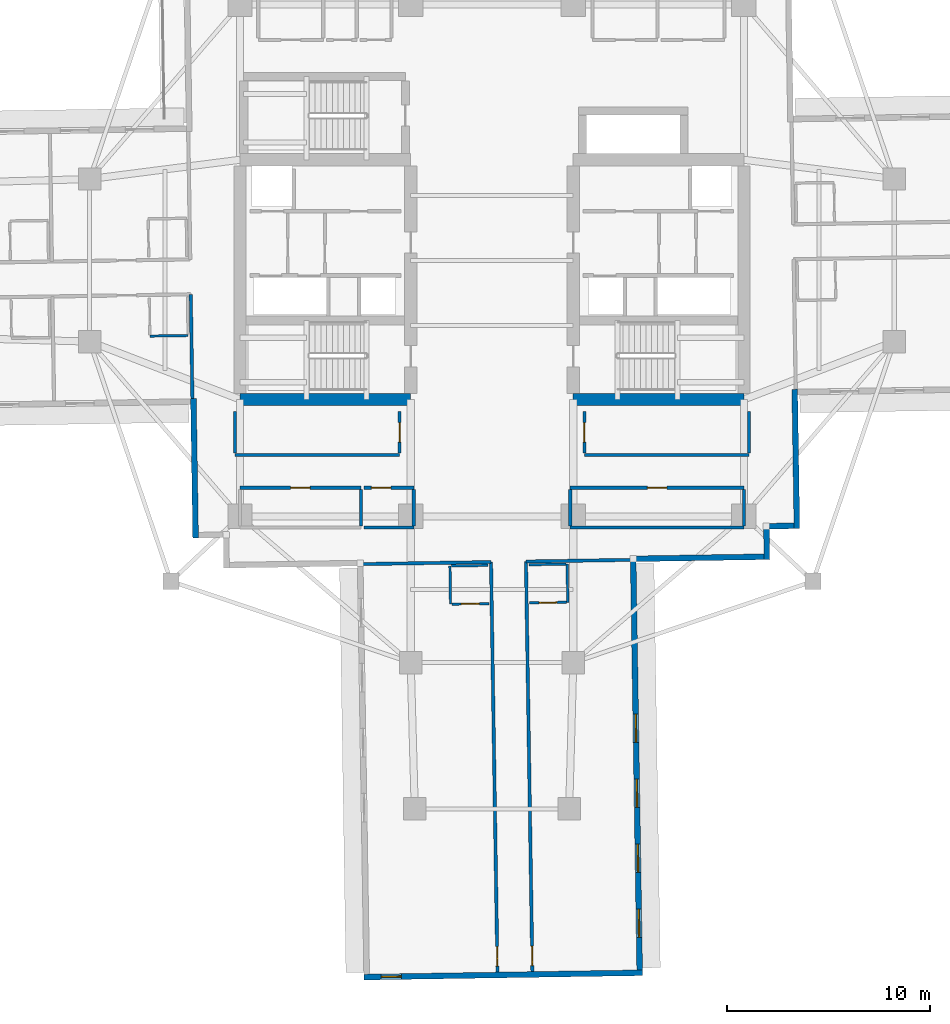
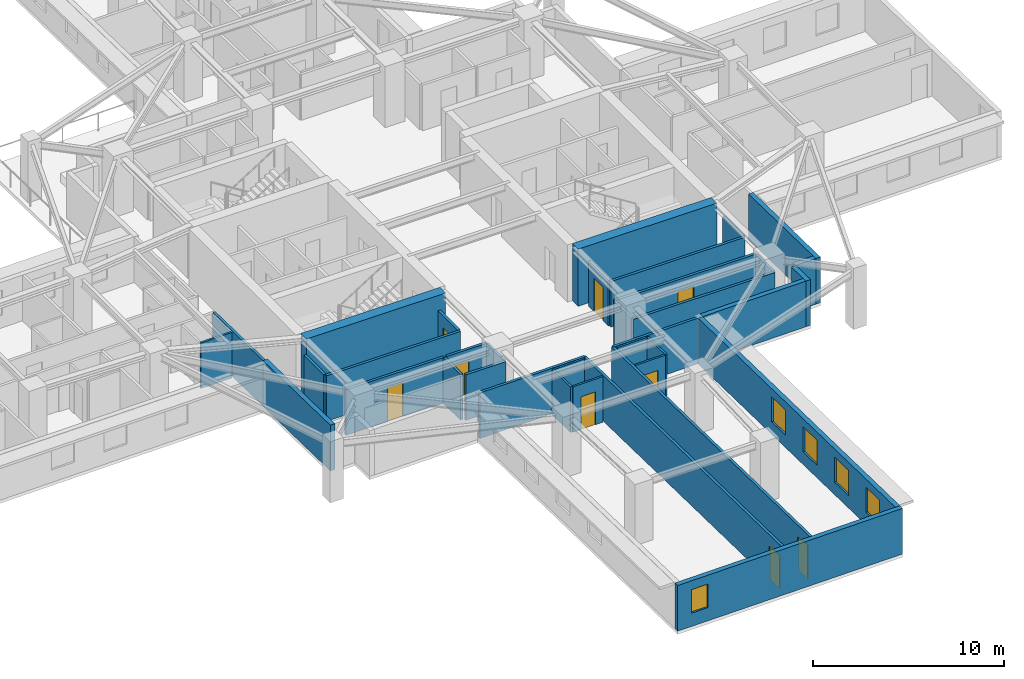
# One storey, part 3 of 13: 36 walls, 9 doors, 5 windows, 14 openings.
"""IFC4 building model written with IfcOpenShell, lengths in metres."""

from ifc_helpers import new_model, si_unit, direction, frame, frame_2d, origin, place, context, subcontext, project, spatial, rectangle, extrude, material, layer, layer_set, type_object, element, fill, save


model = new_model("IFC4")

# Units and contexts
model_context = context("Model", 3, precision=1e-05, world=origin(), true_north=direction((0.0, 1.0)))
body_context = subcontext(model_context, "Body", "Model", "MODEL_VIEW")
ifc_project = project(units=[si_unit("LENGTHUNIT", "METRE"), si_unit("AREAUNIT", "SQUARE_METRE"), si_unit("VOLUMEUNIT", "CUBIC_METRE"), si_unit("PLANEANGLEUNIT", "RADIAN"), si_unit("MASSUNIT", "GRAM", prefix="KILO")], contexts=[model_context])

# Site, building, storey
site_placement = place(None, origin())
site = spatial("IfcSite", under=ifc_project, at=site_placement, CompositionType="ELEMENT")
building_placement = place(site_placement, origin())
building = spatial("IfcBuilding", under=site, at=building_placement, Name="Qingluan Cross Belvedere", CompositionType="ELEMENT")
storey_placement = place(building_placement, frame((0.0, 0.0, 139.800048828125)))
storey = spatial("IfcBuildingStorey", under=building, at=storey_placement, Name="L35", CompositionType="ELEMENT", Elevation=139.800048828125)

# Walls
ifc_material_1 = material(Name="Concrete C60", Category="concrete")
ifc_layer_1 = layer(ifc_material_1, 0.60009765625, Name="CoreShearWall_600")
ifc_layer_set_1 = layer_set([ifc_layer_1], Name="Concrete C60")
wall_type_1 = type_object("IfcWallType", Name="CoreShearWall_600", PredefinedType="SHEAR", material=ifc_layer_set_1)
for number, where, z_axis, x_axis, name in (
    (1, (-12.39990234375, -6.85009765625, 0.0), (0.0, 0.0, 1.0), (1.0, 0.0, 0.0), "Split core W shear wall L35-S"),
    (2, (4.0, -6.85009765625, 0.0), (0.0, 0.0, 1.0), (1.0, 0.0, 0.0), "Split core E shear wall L35-S"),
):
    element("IfcWall", number, at=place(storey_placement, frame(where, z_axis=z_axis, x_axis=x_axis)), inside=storey, type_object=wall_type_1, Name=name, PredefinedType="SHEAR", context=body_context, shape_type="SweptSolid", body=[
        extrude(rectangle(XDim=8.39990234375, YDim=0.60009765625, at=frame_2d((4.199951171875, 0.0))), origin(), (0.0, 0.0, 1.0), 3.64990234375),
    ])

# Wall, opening, door
ifc_material_2 = material(Name="Gypsum plasterboard on steel stud acoustic partition", Category="steel")
ifc_layer_2 = layer(ifc_material_2, 0.159912109375, Name="CorridorPartition_160")
ifc_layer_set_2 = layer_set([ifc_layer_2], Name="Gypsum plasterboard on steel stud acoustic partition")
wall_type_2 = type_object("IfcWallType", Name="CorridorPartition_160", PredefinedType="PARTITIONING", material=ifc_layer_set_2)
wall_1_placement = place(storey_placement, frame((-12.39990234375, -11.199951171875, 0.0), z_axis=(0.0, 0.0, 1.0), x_axis=(1.0, 0.0, 0.0)))
wall_1 = element("IfcWall", 3, at=wall_1_placement, inside=storey, type_object=wall_type_2, Name="Partition L35:q_sw1:N", PredefinedType="PARTITIONING", context=body_context, shape_type="SweptSolid", body=[
    extrude(rectangle(XDim=5.949951171875, YDim=0.159912109375, at=frame_2d((2.97509765625, 0.0))), origin(), (0.0, 0.0, 1.0), 2.909912109375),
])
opening_1_placement = place(wall_1_placement, frame((2.4951171875, 0.0, 0.0)))
opening_1 = element("IfcOpeningElement", 4, at=opening_1_placement, cuts=wall_1, Name="Opening GD-10", PredefinedType="OPENING", context=body_context, shape_type="SweptSolid", body=[
    extrude(rectangle(XDim=0.9599609375, YDim=2.14990234375, at=frame_2d((0.47998046875, 1.074951171875))), frame((0.0, 0.08984375, 0.0), z_axis=(0.0, -1.0, 0.0), x_axis=(1.0, 0.0, 0.0)), (0.0, 0.0, 1.0), 0.179931640625),
])
ifc_material_3 = material(Name="Timber oak fire-rated acoustic guestroom door", Category="wood")
door_type_1 = type_object("IfcDoorType", Name="GuestEntryDoor_FD60", OperationType="NOTDEFINED", PredefinedType="DOOR", material=ifc_material_3)
door_1_placement = place(opening_1_placement, origin())
door_1 = element("IfcDoor", 5, at=door_1_placement, inside=storey, type_object=door_type_1, Name="Quiet coworking office L35 door", OperationType="SINGLE_SWING_LEFT", OverallHeight=2.14990234375, OverallWidth=0.9599609375, PredefinedType="DOOR", context=body_context, shape_type="SweptSolid", body=[
    extrude(rectangle(XDim=0.9599609375, YDim=2.14990234375, at=frame_2d((0.47998046875, 1.074951171875))), frame((0.0, 0.02490234375, 0.0), z_axis=(0.0, -1.0, 0.0), x_axis=(1.0, 0.0, 0.0)), (0.0, 0.0, 1.0), 0.050048828125),
])
fill(opening_1, door_1)

# Walls
wall_2_placement = place(storey_placement, frame((-6.449951171875, -13.06494140625, 0.0), z_axis=(0.0, 0.0, 1.0), x_axis=(0.0, 1.0, 0.0)))
element("IfcWall", 6, at=wall_2_placement, inside=storey, type_object=wall_type_2, Name="Partition L35:q_sw1:E", PredefinedType="PARTITIONING", context=body_context, shape_type="SweptSolid", body=[
    extrude(rectangle(XDim=1.780029296875, YDim=0.159912109375, at=frame_2d((0.89013671875, 0.0))), origin(), (0.0, 0.0, 1.0), 2.909912109375),
])
wall_3_placement = place(storey_placement, frame((-6.2900390625, -13.14990234375, 0.0), z_axis=(0.0, 0.0, 1.0), x_axis=(1.0, 0.0, 0.0)))
element("IfcWall", 7, at=wall_3_placement, inside=storey, type_object=wall_type_2, Name="Partition L35:q_sw2:S", PredefinedType="PARTITIONING", context=body_context, shape_type="SweptSolid", body=[
    extrude(rectangle(XDim=2.43994140625, YDim=0.159912109375, at=frame_2d((1.219970703125, 0.0))), origin(), (0.0, 0.0, 1.0), 2.909912109375),
])

# Wall, opening, door
wall_4_placement = place(storey_placement, frame((-6.2900390625, -11.199951171875, 0.0), z_axis=(0.0, 0.0, 1.0), x_axis=(1.0, 0.0, 0.0)))
wall_4 = element("IfcWall", 8, at=wall_4_placement, inside=storey, type_object=wall_type_2, Name="Partition L35:q_sw2:N", PredefinedType="PARTITIONING", context=body_context, shape_type="SweptSolid", body=[
    extrude(rectangle(XDim=2.43994140625, YDim=0.159912109375, at=frame_2d((1.219970703125, 0.0))), origin(), (0.0, 0.0, 1.0), 2.909912109375),
])
opening_2_placement = place(wall_4_placement, frame((0.35009765625, 0.0, 0.0)))
opening_2 = element("IfcOpeningElement", 9, at=opening_2_placement, cuts=wall_4, Name="Opening GD-10", PredefinedType="OPENING", context=body_context, shape_type="SweptSolid", body=[
    extrude(rectangle(XDim=0.9599609375, YDim=2.14990234375, at=frame_2d((0.47998046875, 1.074951171875))), frame((0.0, 0.08984375, 0.0), z_axis=(0.0, -1.0, 0.0), x_axis=(1.0, 0.0, 0.0)), (0.0, 0.0, 1.0), 0.179931640625),
])
door_2_placement = place(opening_2_placement, origin())
door_2 = element("IfcDoor", 10, at=door_2_placement, inside=storey, type_object=door_type_1, Name="Southwest reading room L35 door", OperationType="SINGLE_SWING_RIGHT", OverallHeight=2.14990234375, OverallWidth=0.9599609375, PredefinedType="DOOR", context=body_context, shape_type="SweptSolid", body=[
    extrude(rectangle(XDim=0.9599609375, YDim=2.14990234375, at=frame_2d((0.47998046875, 1.074951171875))), frame((0.0, 0.02490234375, 0.0), z_axis=(0.0, -1.0, 0.0), x_axis=(1.0, 0.0, 0.0)), (0.0, 0.0, 1.0), 0.050048828125),
])
fill(opening_2, door_2)

# Walls
wall_5_placement = place(storey_placement, frame((-3.85009765625, -13.06494140625, 0.0), z_axis=(0.0, 0.0, 1.0), x_axis=(0.0, 1.0, 0.0)))
element("IfcWall", 11, at=wall_5_placement, inside=storey, type_object=wall_type_2, Name="Partition L35:q_sw2:E", PredefinedType="PARTITIONING", context=body_context, shape_type="SweptSolid", body=[
    extrude(rectangle(XDim=1.780029296875, YDim=0.159912109375, at=frame_2d((0.89013671875, 0.0))), origin(), (0.0, 0.0, 1.0), 2.909912109375),
])
wall_6_placement = place(storey_placement, frame((3.85009765625, -13.14990234375, 0.0), z_axis=(0.0, 0.0, 1.0), x_axis=(1.0, 0.0, 0.0)))
element("IfcWall", 12, at=wall_6_placement, inside=storey, type_object=wall_type_2, Name="Partition L35:q_se:S", PredefinedType="PARTITIONING", context=body_context, shape_type="SweptSolid", body=[
    extrude(rectangle(XDim=8.5498046875, YDim=0.159912109375, at=frame_2d((4.27490234375, 0.0))), origin(), (0.0, 0.0, 1.0), 2.909912109375),
])

# Wall, opening, door
wall_7_placement = place(storey_placement, frame((3.85009765625, -11.199951171875, 0.0), z_axis=(0.0, 0.0, 1.0), x_axis=(1.0, 0.0, 0.0)))
wall_7 = element("IfcWall", 13, at=wall_7_placement, inside=storey, type_object=wall_type_2, Name="Partition L35:q_se:N", PredefinedType="PARTITIONING", context=body_context, shape_type="SweptSolid", body=[
    extrude(rectangle(XDim=8.5498046875, YDim=0.159912109375, at=frame_2d((4.27490234375, 0.0))), origin(), (0.0, 0.0, 1.0), 2.909912109375),
])
opening_3_placement = place(wall_7_placement, frame((3.794921875, 0.0, 0.0)))
opening_3 = element("IfcOpeningElement", 14, at=opening_3_placement, cuts=wall_7, Name="Opening GD-10", PredefinedType="OPENING", context=body_context, shape_type="SweptSolid", body=[
    extrude(rectangle(XDim=0.9599609375, YDim=2.14990234375, at=frame_2d((0.47998046875, 1.074951171875))), frame((0.0, 0.08984375, 0.0), z_axis=(0.0, -1.0, 0.0), x_axis=(1.0, 0.0, 0.0)), (0.0, 0.0, 1.0), 0.179931640625),
])
door_3_placement = place(opening_3_placement, origin())
door_3 = element("IfcDoor", 15, at=door_3_placement, inside=storey, type_object=door_type_1, Name="Espresso servery pantry L35 door", OperationType="SINGLE_SWING_LEFT", OverallHeight=2.14990234375, OverallWidth=0.9599609375, PredefinedType="DOOR", context=body_context, shape_type="SweptSolid", body=[
    extrude(rectangle(XDim=0.9599609375, YDim=2.14990234375, at=frame_2d((0.47998046875, 1.074951171875))), frame((0.0, 0.02490234375, 0.0), z_axis=(0.0, -1.0, 0.0), x_axis=(1.0, 0.0, 0.0)), (0.0, 0.0, 1.0), 0.050048828125),
])
fill(opening_3, door_3)

# Walls
for number, where, z_axis, x_axis, name in (
    (16, (3.85009765625, -13.06494140625, 0.0), (0.0, 0.0, 1.0), (0.0, 1.0, 0.0), "Partition L35:q_se:W"),
    (17, (12.39990234375, -13.06494140625, 0.0), (0.0, 0.0, 1.0), (0.0, 1.0, 0.0), "Partition L35:q_se:E"),
):
    element("IfcWall", number, at=place(storey_placement, frame(where, z_axis=z_axis, x_axis=x_axis)), inside=storey, type_object=wall_type_2, Name=name, PredefinedType="PARTITIONING", context=body_context, shape_type="SweptSolid", body=[
        extrude(rectangle(XDim=1.780029296875, YDim=0.159912109375, at=frame_2d((0.89013671875, 0.0))), origin(), (0.0, 0.0, 1.0), 2.909912109375),
    ])
wall_8_placement = place(storey_placement, frame((4.550048828125, -9.580078125, 0.0), z_axis=(0.0, 0.0, 1.0), x_axis=(1.0, 0.0, 0.0)))
element("IfcWall", 18, at=wall_8_placement, inside=storey, type_object=wall_type_2, Name="Partition L35:rec_st4:S", PredefinedType="PARTITIONING", context=body_context, shape_type="SweptSolid", body=[
    extrude(rectangle(XDim=8.099853515625, YDim=0.159912109375, at=frame_2d((4.0498046875, 0.0))), origin(), (0.0, 0.0, 1.0), 2.909912109375),
])

# Wall, opening, door
wall_9_placement = place(storey_placement, frame((4.550048828125, -9.4951171875, 0.0), z_axis=(0.0, 0.0, 1.0), x_axis=(0.0, 1.0, 0.0)))
wall_9 = element("IfcWall", 19, at=wall_9_placement, inside=storey, type_object=wall_type_2, Name="Partition L35:rec_st4:W", PredefinedType="PARTITIONING", context=body_context, shape_type="SweptSolid", body=[
    extrude(rectangle(XDim=2.06005859375, YDim=0.159912109375, at=frame_2d((1.030029296875, 0.0))), origin(), (0.0, 0.0, 1.0), 2.909912109375),
])
opening_4_placement = place(wall_9_placement, frame((0.550048828125, 0.0, 0.0)))
opening_4 = element("IfcOpeningElement", 20, at=opening_4_placement, cuts=wall_9, Name="Opening GD-10", PredefinedType="OPENING", context=body_context, shape_type="SweptSolid", body=[
    extrude(rectangle(XDim=0.9599609375, YDim=2.14990234375, at=frame_2d((0.47998046875, 1.074951171875))), frame((0.0, 0.08984375, 0.0), z_axis=(0.0, -1.0, 0.0), x_axis=(1.0, 0.0, 0.0)), (0.0, 0.0, 1.0), 0.179931640625),
])
door_4_placement = place(opening_4_placement, origin())
door_4 = element("IfcDoor", 21, at=door_4_placement, inside=storey, type_object=door_type_1, Name="Southeast club library room L35 door", OperationType="SINGLE_SWING_RIGHT", OverallHeight=2.14990234375, OverallWidth=0.9599609375, PredefinedType="DOOR", context=body_context, shape_type="SweptSolid", body=[
    extrude(rectangle(XDim=0.9599609375, YDim=2.14990234375, at=frame_2d((0.47998046875, 1.074951171875))), frame((0.0, 0.02490234375, 0.0), z_axis=(0.0, -1.0, 0.0), x_axis=(1.0, 0.0, 0.0)), (0.0, 0.0, 1.0), 0.050048828125),
])
fill(opening_4, door_4)

# Walls
wall_10_placement = place(storey_placement, frame((12.64990234375, -9.4951171875, 0.0), z_axis=(0.0, 0.0, 1.0), x_axis=(0.0, 1.0, 0.0)))
element("IfcWall", 22, at=wall_10_placement, inside=storey, type_object=wall_type_2, Name="Partition L35:rec_st4:E", PredefinedType="PARTITIONING", context=body_context, shape_type="SweptSolid", body=[
    extrude(rectangle(XDim=2.06005859375, YDim=0.159912109375, at=frame_2d((1.030029296875, 0.0))), origin(), (0.0, 0.0, 1.0), 2.909912109375),
])
wall_11_placement = place(storey_placement, frame((-12.64990234375, -9.580078125, 0.0), z_axis=(0.0, 0.0, 1.0), x_axis=(1.0, 0.0, 0.0)))
element("IfcWall", 23, at=wall_11_placement, inside=storey, type_object=wall_type_2, Name="Partition L35:rec_st4_w:S", PredefinedType="PARTITIONING", context=body_context, shape_type="SweptSolid", body=[
    extrude(rectangle(XDim=8.099853515625, YDim=0.159912109375, at=frame_2d((4.0498046875, 0.0))), origin(), (0.0, 0.0, 1.0), 2.909912109375),
])
wall_12_placement = place(storey_placement, frame((-12.64990234375, -9.4951171875, 0.0), z_axis=(0.0, 0.0, 1.0), x_axis=(0.0, 1.0, 0.0)))
element("IfcWall", 24, at=wall_12_placement, inside=storey, type_object=wall_type_2, Name="Partition L35:rec_st4_w:W", PredefinedType="PARTITIONING", context=body_context, shape_type="SweptSolid", body=[
    extrude(rectangle(XDim=2.06005859375, YDim=0.159912109375, at=frame_2d((1.030029296875, 0.0))), origin(), (0.0, 0.0, 1.0), 2.909912109375),
])

# Wall, opening, door
wall_13_placement = place(storey_placement, frame((-4.550048828125, -9.4951171875, 0.0), z_axis=(0.0, 0.0, 1.0), x_axis=(0.0, 1.0, 0.0)))
wall_13 = element("IfcWall", 25, at=wall_13_placement, inside=storey, type_object=wall_type_2, Name="Partition L35:rec_st4_w:E", PredefinedType="PARTITIONING", context=body_context, shape_type="SweptSolid", body=[
    extrude(rectangle(XDim=2.06005859375, YDim=0.159912109375, at=frame_2d((1.030029296875, 0.0))), origin(), (0.0, 0.0, 1.0), 2.909912109375),
])
opening_5_placement = place(wall_13_placement, frame((0.550048828125, 0.0, 0.0)))
opening_5 = element("IfcOpeningElement", 26, at=opening_5_placement, cuts=wall_13, Name="Opening GD-10", PredefinedType="OPENING", context=body_context, shape_type="SweptSolid", body=[
    extrude(rectangle(XDim=0.9599609375, YDim=2.14990234375, at=frame_2d((0.47998046875, 1.074951171875))), frame((0.0, 0.08984375, 0.0), z_axis=(0.0, -1.0, 0.0), x_axis=(1.0, 0.0, 0.0)), (0.0, 0.0, 1.0), 0.179931640625),
])
door_5_placement = place(opening_5_placement, origin())
door_5 = element("IfcDoor", 27, at=door_5_placement, inside=storey, type_object=door_type_1, Name="Southwest club reading room L35 door", OperationType="SINGLE_SWING_LEFT", OverallHeight=2.14990234375, OverallWidth=0.9599609375, PredefinedType="DOOR", context=body_context, shape_type="SweptSolid", body=[
    extrude(rectangle(XDim=0.9599609375, YDim=2.14990234375, at=frame_2d((0.47998046875, 1.074951171875))), frame((0.0, 0.02490234375, 0.0), z_axis=(0.0, -1.0, 0.0), x_axis=(1.0, 0.0, 0.0)), (0.0, 0.0, 1.0), 0.050048828125),
])
fill(opening_5, door_5)

# Wall
wall_14_placement = place(storey_placement, frame((-14.825439453125, -1.673095703125, 0.0), z_axis=(0.0, 0.0, 1.0), x_axis=(0.015698892967, -0.999876764786, 0.0)))
element("IfcWall", 28, at=wall_14_placement, inside=storey, type_object=wall_type_2, Name="Partition L35:W:s1", PredefinedType="PARTITIONING", context=body_context, shape_type="SweptSolid", body=[
    extrude(rectangle(XDim=5.132080078125, YDim=0.159912109375, at=frame_2d((2.56591796875, 0.0))), origin(), (0.0, 0.0, 1.0), 2.909912109375),
])

# Wall, opening, door
wall_15_placement = place(storey_placement, frame((1.673095703125, -14.825439453125, 0.0), z_axis=(0.0, 0.0, 1.0), x_axis=(0.015701893165, -0.999876717676, 0.0)))
wall_15 = element("IfcWall", 29, at=wall_15_placement, inside=storey, type_object=wall_type_2, Name="Partition L35:S:c0", PredefinedType="PARTITIONING", context=body_context, shape_type="SweptSolid", body=[
    extrude(rectangle(XDim=20.181884765625, YDim=0.159912109375, at=frame_2d((10.0908203125, 0.0))), origin(), (0.0, 0.0, 1.0), 2.909912109375),
])
opening_6_placement = place(wall_15_placement, frame((18.929931640625, 0.0, 0.0)))
opening_6 = element("IfcOpeningElement", 30, at=opening_6_placement, cuts=wall_15, Name="Opening GD-10", PredefinedType="OPENING", context=body_context, shape_type="SweptSolid", body=[
    extrude(rectangle(XDim=0.9599609375, YDim=2.14990234375, at=frame_2d((0.47998046875, 1.074951171875))), frame((0.0, 0.08984375, 0.0), z_axis=(0.0, -1.0, 0.0), x_axis=(1.0, 0.0, 0.0)), (0.0, 0.0, 1.0), 0.179931640625),
])
door_6_placement = place(opening_6_placement, origin())
door_6 = element("IfcDoor", 31, at=door_6_placement, inside=storey, type_object=door_type_1, Name="Guest entry fire door 3513", OperationType="SINGLE_SWING_RIGHT", OverallHeight=2.14990234375, OverallWidth=0.9599609375, PredefinedType="DOOR", context=body_context, shape_type="SweptSolid", body=[
    extrude(rectangle(XDim=0.9599609375, YDim=2.14990234375, at=frame_2d((0.47998046875, 1.074951171875))), frame((0.0, 0.02490234375, 0.0), z_axis=(0.0, -1.0, 0.0), x_axis=(1.0, 0.0, 0.0)), (0.0, 0.0, 1.0), 0.050048828125),
])
fill(opening_6, door_6)

# Wall
wall_16_placement = place(storey_placement, frame((1.673095703125, -14.825439453125, 0.0), z_axis=(0.0, 0.0, 1.0), x_axis=(0.999877138082, 0.015675099418, 0.0)))
element("IfcWall", 32, at=wall_16_placement, inside=storey, type_object=wall_type_2, Name="Partition L35:S:s0", PredefinedType="PARTITIONING", context=body_context, shape_type="SweptSolid", body=[
    extrude(rectangle(XDim=5.280029296875, YDim=0.159912109375, at=frame_2d((2.64013671875, 0.0))), origin(), (0.0, 0.0, 1.0), 2.909912109375),
])

# Wall, opening, door
wall_17_placement = place(storey_placement, frame((-0.046630859375, -14.8525390625, 0.0), z_axis=(0.0, 0.0, 1.0), x_axis=(0.015701893165, -0.999876717676, 0.0)))
wall_17 = element("IfcWall", 33, at=wall_17_placement, inside=storey, type_object=wall_type_2, Name="Partition L35:S:c1", PredefinedType="PARTITIONING", context=body_context, shape_type="SweptSolid", body=[
    extrude(rectangle(XDim=20.181884765625, YDim=0.159912109375, at=frame_2d((10.0908203125, 0.0))), origin(), (0.0, 0.0, 1.0), 2.909912109375),
])
opening_7_placement = place(wall_17_placement, frame((18.929931640625, 0.0, 0.0)))
opening_7 = element("IfcOpeningElement", 34, at=opening_7_placement, cuts=wall_17, Name="Opening GD-10", PredefinedType="OPENING", context=body_context, shape_type="SweptSolid", body=[
    extrude(rectangle(XDim=0.9599609375, YDim=2.14990234375, at=frame_2d((0.47998046875, 1.074951171875))), frame((0.0, 0.08984375, 0.0), z_axis=(0.0, -1.0, 0.0), x_axis=(1.0, 0.0, 0.0)), (0.0, 0.0, 1.0), 0.179931640625),
])
door_7_placement = place(opening_7_placement, origin())
door_7 = element("IfcDoor", 35, at=door_7_placement, inside=storey, type_object=door_type_1, Name="Guest entry fire door 3514", OperationType="SINGLE_SWING_RIGHT", OverallHeight=2.14990234375, OverallWidth=0.9599609375, PredefinedType="DOOR", context=body_context, shape_type="SweptSolid", body=[
    extrude(rectangle(XDim=0.9599609375, YDim=2.14990234375, at=frame_2d((0.47998046875, 1.074951171875))), frame((0.0, 0.02490234375, 0.0), z_axis=(0.0, -1.0, 0.0), x_axis=(1.0, 0.0, 0.0)), (0.0, 0.0, 1.0), 0.050048828125),
])
fill(opening_7, door_7)

# Walls
wall_18_placement = place(storey_placement, frame((-0.046630859375, -14.8525390625, 0.0), z_axis=(0.0, 0.0, 1.0), x_axis=(-0.99987682984, -0.015694749102, 0.0)))
element("IfcWall", 36, at=wall_18_placement, inside=storey, type_object=wall_type_2, Name="Partition L35:S:s1", PredefinedType="PARTITIONING", context=body_context, shape_type="SweptSolid", body=[
    extrude(rectangle(XDim=6.43994140625, YDim=0.159912109375, at=frame_2d((3.219970703125, 0.0))), origin(), (0.0, 0.0, 1.0), 2.909912109375),
])
ifc_material_4 = material(Name="Moisture-resistant gypsum board lining")
ifc_layer_3 = layer(ifc_material_4, 0.1201171875, Name="EnsuiteWetPartition_120")
ifc_layer_set_3 = layer_set([ifc_layer_3], Name="Moisture-resistant gypsum board lining")
wall_type_3 = type_object("IfcWallType", Name="EnsuiteWetPartition_120", PredefinedType="PARTITIONING", material=ifc_layer_set_3)
wall_19_placement = place(storey_placement, frame((-14.95361328125, -3.7001953125, 0.0), z_axis=(0.0, 0.0, 1.0), x_axis=(-0.99987450499, -0.015842167482, 0.0)))
element("IfcWall", 37, at=wall_19_placement, inside=storey, type_object=wall_type_3, Name="Partition L35:W:bc1_0", PredefinedType="PARTITIONING", context=body_context, shape_type="SweptSolid", body=[
    extrude(rectangle(XDim=1.880126953125, YDim=0.1201171875, at=frame_2d((0.93994140625, 0.0))), origin(), (0.0, 0.0, 1.0), 2.909912109375),
])

# Wall, opening, door
wall_20_placement = place(storey_placement, frame((1.84521484375, -16.863037109375, 0.0), z_axis=(0.0, 0.0, 1.0), x_axis=(0.999876803258, 0.015696442504, 0.0)))
wall_20 = element("IfcWall", 38, at=wall_20_placement, inside=storey, type_object=wall_type_3, Name="Partition L35:S:bs0_0", PredefinedType="PARTITIONING", context=body_context, shape_type="SweptSolid", body=[
    extrude(rectangle(XDim=1.81982421875, YDim=0.1201171875, at=frame_2d((0.909912109375, 0.0))), origin(), (0.0, 0.0, 1.0), 2.909912109375),
])
opening_8_placement = place(wall_20_placement, frame((0.469970703125, 0.0, 0.0)))
opening_8 = element("IfcOpeningElement", 39, at=opening_8_placement, cuts=wall_20, Name="Opening BD-09", PredefinedType="OPENING", context=body_context, shape_type="SweptSolid", body=[
    extrude(rectangle(XDim=0.8798828125, YDim=2.10009765625, at=frame_2d((0.43994140625, 1.050048828125))), frame((0.0, 0.070068359375, 0.0), z_axis=(0.0, -1.0, 0.0), x_axis=(1.0, 0.0, 0.0)), (0.0, 0.0, 1.0), 0.14013671875),
])
ifc_material_5 = material(Name="Moisture-sealed timber en-suite door", Category="wood")
door_type_2 = type_object("IfcDoorType", Name="BathroomDoor_880", OperationType="NOTDEFINED", PredefinedType="DOOR", material=ifc_material_5)
door_8_placement = place(opening_8_placement, origin())
door_8 = element("IfcDoor", 40, at=door_8_placement, inside=storey, type_object=door_type_2, Name="Bathroom door 3513", OperationType="SINGLE_SWING_LEFT", OverallHeight=2.10009765625, OverallWidth=0.8798828125, PredefinedType="DOOR", context=body_context, shape_type="SweptSolid", body=[
    extrude(rectangle(XDim=0.8798828125, YDim=2.10009765625, at=frame_2d((0.43994140625, 1.050048828125))), frame((0.0, 0.02490234375, 0.0), z_axis=(0.0, -1.0, 0.0), x_axis=(1.0, 0.0, 0.0)), (0.0, 0.0, 1.0), 0.050048828125),
])
fill(opening_8, door_8)

# Walls
wall_21_placement = place(storey_placement, frame((1.815673828125, -14.9833984375, 0.0), z_axis=(0.0, 0.0, 1.0), x_axis=(0.999874688728, 0.015830566654, 0.0)))
element("IfcWall", 41, at=wall_21_placement, inside=storey, type_object=wall_type_3, Name="Partition L35:S:bw0_0", PredefinedType="PARTITIONING", context=body_context, shape_type="SweptSolid", body=[
    extrude(rectangle(XDim=1.81982421875, YDim=0.1201171875, at=frame_2d((0.909912109375, 0.0))), origin(), (0.0, 0.0, 1.0), 2.909912109375),
])
wall_22_placement = place(storey_placement, frame((3.7001953125, -14.95361328125, 0.0), z_axis=(0.0, 0.0, 1.0), x_axis=(0.015842167482, -0.99987450499, 0.0)))
element("IfcWall", 42, at=wall_22_placement, inside=storey, type_object=wall_type_3, Name="Partition L35:S:bn0_0", PredefinedType="PARTITIONING", context=body_context, shape_type="SweptSolid", body=[
    extrude(rectangle(XDim=1.880126953125, YDim=0.1201171875, at=frame_2d((0.93994140625, 0.0))), origin(), (0.0, 0.0, 1.0), 2.909912109375),
])

# Wall, opening, door
wall_23_placement = place(storey_placement, frame((-1.974365234375, -16.923095703125, 0.0), z_axis=(0.0, 0.0, 1.0), x_axis=(0.999876803258, 0.015696442504, 0.0)))
wall_23 = element("IfcWall", 43, at=wall_23_placement, inside=storey, type_object=wall_type_3, Name="Partition L35:S:bs1_0", PredefinedType="PARTITIONING", context=body_context, shape_type="SweptSolid", body=[
    extrude(rectangle(XDim=1.81982421875, YDim=0.1201171875, at=frame_2d((0.909912109375, 0.0))), origin(), (0.0, 0.0, 1.0), 2.909912109375),
])
opening_9_placement = place(wall_23_placement, frame((0.469970703125, 0.0, 0.0)))
opening_9 = element("IfcOpeningElement", 44, at=opening_9_placement, cuts=wall_23, Name="Opening BD-09", PredefinedType="OPENING", context=body_context, shape_type="SweptSolid", body=[
    extrude(rectangle(XDim=0.8798828125, YDim=2.10009765625, at=frame_2d((0.43994140625, 1.050048828125))), frame((0.0, 0.070068359375, 0.0), z_axis=(0.0, -1.0, 0.0), x_axis=(1.0, 0.0, 0.0)), (0.0, 0.0, 1.0), 0.14013671875),
])
door_9_placement = place(opening_9_placement, origin())
door_9 = element("IfcDoor", 45, at=door_9_placement, inside=storey, type_object=door_type_2, Name="Bathroom door 3514", OperationType="SINGLE_SWING_LEFT", OverallHeight=2.10009765625, OverallWidth=0.8798828125, PredefinedType="DOOR", context=body_context, shape_type="SweptSolid", body=[
    extrude(rectangle(XDim=0.8798828125, YDim=2.10009765625, at=frame_2d((0.43994140625, 1.050048828125))), frame((0.0, 0.02490234375, 0.0), z_axis=(0.0, -1.0, 0.0), x_axis=(1.0, 0.0, 0.0)), (0.0, 0.0, 1.0), 0.050048828125),
])
fill(opening_9, door_9)

# Walls
wall_24_placement = place(storey_placement, frame((-2.00390625, -15.043212890625, 0.0), z_axis=(0.0, 0.0, 1.0), x_axis=(0.999876836305, 0.015694337248, 0.0)))
element("IfcWall", 46, at=wall_24_placement, inside=storey, type_object=wall_type_3, Name="Partition L35:S:bw1_0", PredefinedType="PARTITIONING", context=body_context, shape_type="SweptSolid", body=[
    extrude(rectangle(XDim=1.820068359375, YDim=0.1201171875, at=frame_2d((0.91015625, 0.0))), origin(), (0.0, 0.0, 1.0), 2.909912109375),
])
wall_25_placement = place(storey_placement, frame((-2.06884765625, -15.04443359375, 0.0), z_axis=(0.0, 0.0, 1.0), x_axis=(0.015714386166, -0.99987652141, 0.0)))
element("IfcWall", 47, at=wall_25_placement, inside=storey, type_object=wall_type_3, Name="Partition L35:S:bc1_0", PredefinedType="PARTITIONING", context=body_context, shape_type="SweptSolid", body=[
    extrude(rectangle(XDim=1.8798828125, YDim=0.1201171875, at=frame_2d((0.93994140625, 0.0))), origin(), (0.0, 0.0, 1.0), 2.909912109375),
])

# Wall, openings, windows
ifc_material_6 = material(Name="Precast concrete C45", Category="concrete")
ifc_layer_4 = layer(ifc_material_6, 0.280029296875, Name="PrecastFacadeWall_280")
ifc_layer_set_4 = layer_set([ifc_layer_4], Name="Precast concrete C45")
wall_type_4 = type_object("IfcWallType", Name="PrecastFacadeWall_280", PredefinedType="STANDARD", material=ifc_layer_set_4)
wall_26_placement = place(storey_placement, frame((7.26953125, -34.93017578125, 0.0), z_axis=(0.0, 0.0, 1.0), x_axis=(-0.015705059908, 0.999876667941, 0.0)))
wall_26 = element("IfcWall", 48, at=wall_26_placement, inside=storey, type_object=wall_type_4, Name="Facade wall L35-SB", PredefinedType="STANDARD", context=body_context, shape_type="SweptSolid", body=[
    extrude(rectangle(XDim=20.10009765625, YDim=0.280029296875, at=frame_2d((10.050048828125, 0.0))), origin(), (0.0, 0.0, 1.0), 2.919921875),
])
opening_10_placement = place(wall_26_placement, frame((1.60009765625, 0.0, 0.800048828125)))
opening_10 = element("IfcOpeningElement", 49, at=opening_10_placement, cuts=wall_26, Name="Opening W-01", PredefinedType="OPENING", context=body_context, shape_type="SweptSolid", body=[
    extrude(rectangle(XDim=1.39990234375, YDim=1.60009765625, at=frame_2d((0.699951171875, 0.800048828125))), frame((0.0, 0.14990234375, 0.0), z_axis=(0.0, -1.0, 0.0), x_axis=(1.0, 0.0, 0.0)), (0.0, 0.0, 1.0), 0.300048828125),
])
opening_11_placement = place(wall_26_placement, frame((4.800048828125, 0.0, 0.800048828125)))
opening_11 = element("IfcOpeningElement", 50, at=opening_11_placement, cuts=wall_26, Name="Opening W-01", PredefinedType="OPENING", context=body_context, shape_type="SweptSolid", body=[
    extrude(rectangle(XDim=1.39990234375, YDim=1.60009765625, at=frame_2d((0.699951171875, 0.800048828125))), frame((0.0, 0.14990234375, 0.0), z_axis=(0.0, -1.0, 0.0), x_axis=(1.0, 0.0, 0.0)), (0.0, 0.0, 1.0), 0.300048828125),
])
opening_12_placement = place(wall_26_placement, frame((8.0, 0.0, 0.800048828125)))
opening_12 = element("IfcOpeningElement", 51, at=opening_12_placement, cuts=wall_26, Name="Opening W-01", PredefinedType="OPENING", context=body_context, shape_type="SweptSolid", body=[
    extrude(rectangle(XDim=1.39990234375, YDim=1.60009765625, at=frame_2d((0.699951171875, 0.800048828125))), frame((0.0, 0.14990234375, 0.0), z_axis=(0.0, -1.0, 0.0), x_axis=(1.0, 0.0, 0.0)), (0.0, 0.0, 1.0), 0.300048828125),
])
opening_13_placement = place(wall_26_placement, frame((11.199951171875, 0.0, 0.800048828125)))
opening_13 = element("IfcOpeningElement", 52, at=opening_13_placement, cuts=wall_26, Name="Opening W-01", PredefinedType="OPENING", context=body_context, shape_type="SweptSolid", body=[
    extrude(rectangle(XDim=1.39990234375, YDim=1.60009765625, at=frame_2d((0.699951171875, 0.800048828125))), frame((0.0, 0.14990234375, 0.0), z_axis=(0.0, -1.0, 0.0), x_axis=(1.0, 0.0, 0.0)), (0.0, 0.0, 1.0), 0.300048828125),
])
ifc_material_7 = material(Name="Thermally broken triple Low-E glass in aluminium frame", Category="aluminium")
window_type_1 = type_object("IfcWindowType", Name="TriRibbonWin_1400x1600", PartitioningType="SINGLE_PANEL", PredefinedType="WINDOW", material=ifc_material_7)
window_1_placement = place(opening_10_placement, origin())
window_1 = element("IfcWindow", 53, at=window_1_placement, inside=storey, type_object=window_type_1, Name="Ribbon window L35-SB-1", OverallHeight=1.60009765625, OverallWidth=1.39990234375, PartitioningType="SINGLE_PANEL", PredefinedType="WINDOW", context=body_context, shape_type="SweptSolid", body=[
    extrude(rectangle(XDim=1.39990234375, YDim=1.60009765625, at=frame_2d((0.699951171875, 0.800048828125))), frame((0.0, 0.030029296875, 0.0), z_axis=(0.0, -1.0, 0.0), x_axis=(1.0, 0.0, 0.0)), (0.0, 0.0, 1.0), 0.06005859375),
])
fill(opening_10, window_1)
window_2_placement = place(opening_11_placement, origin())
window_2 = element("IfcWindow", 54, at=window_2_placement, inside=storey, type_object=window_type_1, Name="Ribbon window L35-SB-2", OverallHeight=1.60009765625, OverallWidth=1.39990234375, PartitioningType="SINGLE_PANEL", PredefinedType="WINDOW", context=body_context, shape_type="SweptSolid", body=[
    extrude(rectangle(XDim=1.39990234375, YDim=1.60009765625, at=frame_2d((0.699951171875, 0.800048828125))), frame((0.0, 0.030029296875, 0.0), z_axis=(0.0, -1.0, 0.0), x_axis=(1.0, 0.0, 0.0)), (0.0, 0.0, 1.0), 0.06005859375),
])
fill(opening_11, window_2)
window_3_placement = place(opening_12_placement, origin())
window_3 = element("IfcWindow", 55, at=window_3_placement, inside=storey, type_object=window_type_1, Name="Ribbon window L35-SB-3", OverallHeight=1.60009765625, OverallWidth=1.39990234375, PartitioningType="SINGLE_PANEL", PredefinedType="WINDOW", context=body_context, shape_type="SweptSolid", body=[
    extrude(rectangle(XDim=1.39990234375, YDim=1.60009765625, at=frame_2d((0.699951171875, 0.800048828125))), frame((0.0, 0.030029296875, 0.0), z_axis=(0.0, -1.0, 0.0), x_axis=(1.0, 0.0, 0.0)), (0.0, 0.0, 1.0), 0.06005859375),
])
fill(opening_12, window_3)
window_4_placement = place(opening_13_placement, origin())
window_4 = element("IfcWindow", 56, at=window_4_placement, inside=storey, type_object=window_type_1, Name="Ribbon window L35-SB-4", OverallHeight=1.60009765625, OverallWidth=1.39990234375, PartitioningType="SINGLE_PANEL", PredefinedType="WINDOW", context=body_context, shape_type="SweptSolid", body=[
    extrude(rectangle(XDim=1.39990234375, YDim=1.60009765625, at=frame_2d((0.699951171875, 0.800048828125))), frame((0.0, 0.030029296875, 0.0), z_axis=(0.0, -1.0, 0.0), x_axis=(1.0, 0.0, 0.0)), (0.0, 0.0, 1.0), 0.06005859375),
])
fill(opening_13, window_4)

# Wall, opening, window
wall_27_placement = place(storey_placement, frame((-6.306640625, -35.283447265625, 0.0), z_axis=(0.0, 0.0, 1.0), x_axis=(0.999876549481, 0.015712599986, 0.0)))
wall_27 = element("IfcWall", 57, at=wall_27_placement, inside=storey, type_object=wall_type_4, Name="Arm tip precast facade wall L35-S", PredefinedType="STANDARD", context=body_context, shape_type="SweptSolid", body=[
    extrude(rectangle(XDim=13.719970703125, YDim=0.280029296875, at=frame_2d((6.85986328125, 0.0))), origin(), (0.0, 0.0, 1.0), 2.919921875),
])
opening_14_placement = place(wall_27_placement, frame((0.85009765625, 0.0, 0.85009765625)))
opening_14 = element("IfcOpeningElement", 58, at=opening_14_placement, cuts=wall_27, Name="Opening W-03", PredefinedType="OPENING", context=body_context, shape_type="SweptSolid", body=[
    extrude(rectangle(XDim=1.0, YDim=1.5, at=frame_2d((0.5, 0.75))), frame((0.0, 0.14990234375, 0.0), z_axis=(0.0, -1.0, 0.0), x_axis=(1.0, 0.0, 0.0)), (0.0, 0.0, 1.0), 0.300048828125),
])
ifc_material_8 = material(Name="Thermally broken triple Low-E glass in aluminium frame", Category="aluminium")
window_type_2 = type_object("IfcWindowType", Name="TriApexWin_1000x1500", PartitioningType="SINGLE_PANEL", PredefinedType="WINDOW", material=ifc_material_8)
window_5_placement = place(opening_14_placement, origin())
window_5 = element("IfcWindow", 59, at=window_5_placement, inside=storey, type_object=window_type_2, Name="Arm tip triangular window L35-S", OverallHeight=1.5, OverallWidth=1.0, PartitioningType="SINGLE_PANEL", PredefinedType="WINDOW", context=body_context, shape_type="SweptSolid", body=[
    extrude(rectangle(XDim=1.0, YDim=1.5, at=frame_2d((0.5, 0.75))), frame((0.0, 0.030029296875, 0.0), z_axis=(0.0, -1.0, 0.0), x_axis=(1.0, 0.0, 0.0)), (0.0, 0.0, 1.0), 0.06005859375),
])
fill(opening_14, window_5)

# Walls
for number, where, z_axis, x_axis, name in (
    (60, (-14.69482421875, -6.811767578125, 0.0), (0.0, 0.0, 1.0), (0.015694809807, -0.999876828887, 0.0), "Corner wall L35-SW1"),
    (61, (14.901611328125, -6.3466796875, 0.0), (0.0, 0.0, 1.0), (0.015694809807, -0.999876828887, 0.0), "Corner wall L35-SE1"),
):
    element("IfcWall", number, at=place(storey_placement, frame(where, z_axis=z_axis, x_axis=x_axis)), inside=storey, type_object=wall_type_4, Name=name, PredefinedType="STANDARD", context=body_context, shape_type="SweptSolid", body=[
        extrude(rectangle(XDim=6.85986328125, YDim=0.280029296875, at=frame_2d((3.429931640625, 0.0))), origin(), (0.0, 0.0, 1.0), 2.919921875),
    ])
wall_28_placement = place(storey_placement, frame((14.8671875, -13.068115234375, 0.0), z_axis=(0.0, 0.0, 1.0), x_axis=(-0.999875053502, -0.015807510352, 0.0)))
element("IfcWall", 62, at=wall_28_placement, inside=storey, type_object=wall_type_4, Name="Corner wall L35-SE2", PredefinedType="STANDARD", context=body_context, shape_type="SweptSolid", body=[
    extrude(rectangle(XDim=1.22021484375, YDim=0.280029296875, at=frame_2d((0.610107421875, 0.0))), origin(), (0.0, 0.0, 1.0), 2.919921875),
])
wall_29_placement = place(storey_placement, frame((13.509521484375, -13.2294921875, 0.0), z_axis=(0.0, 0.0, 1.0), x_axis=(0.015625635615, -0.999877912303, 0.0)))
element("IfcWall", 63, at=wall_29_placement, inside=storey, type_object=wall_type_4, Name="Corner wall L35-SE3", PredefinedType="STANDARD", context=body_context, shape_type="SweptSolid", body=[
    extrude(rectangle(XDim=1.5, YDim=0.280029296875, at=frame_2d((0.75, 0.0))), origin(), (0.0, 0.0, 1.0), 2.919921875),
])
wall_30_placement = place(storey_placement, frame((13.390869140625, -14.591552734375, 0.0), z_axis=(0.0, 0.0, 1.0), x_axis=(-0.999876833368, -0.015694524359, 0.0)))
element("IfcWall", 64, at=wall_30_placement, inside=storey, type_object=wall_type_4, Name="Corner wall L35-SE4", PredefinedType="STANDARD", context=body_context, shape_type="SweptSolid", body=[
    extrude(rectangle(XDim=6.300048828125, YDim=0.280029296875, at=frame_2d((3.14990234375, 0.0))), origin(), (0.0, 0.0, 1.0), 2.919921875),
])

save(model, "model.ifc")
